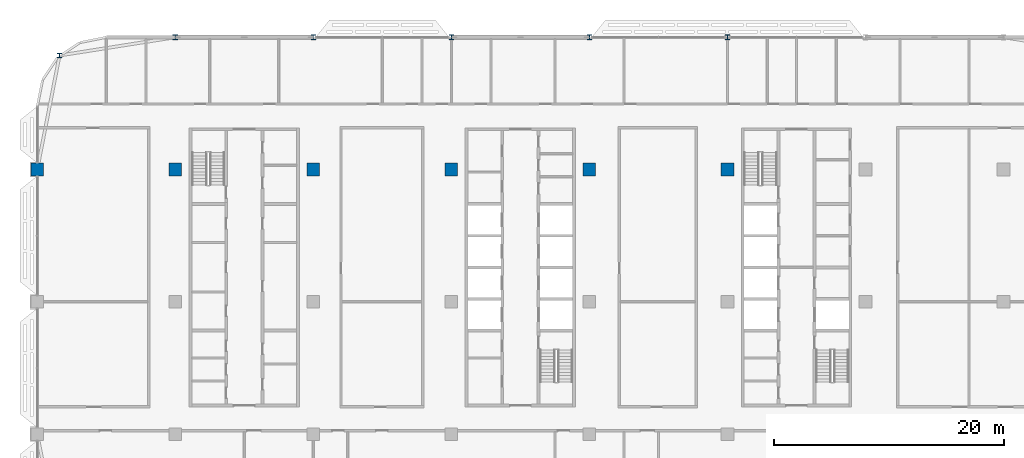
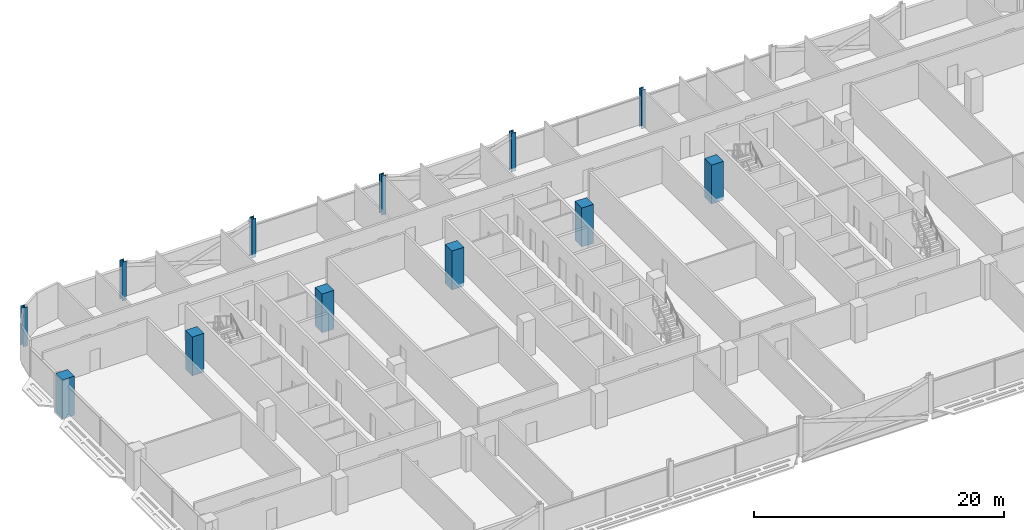
# One storey, part 2 of 30: 12 columns.
"""IFC4 building model written with IfcOpenShell, lengths in metres."""

from ifc_helpers import new_model, si_unit, direction, frame, origin, origin_2d, place, context, subcontext, project, spatial, rectangle, i_section, extrude, material, material_profile, profile_set, type_object, element, save


model = new_model("IFC4")

# Units and contexts
model_context = context("Model", 3, precision=1e-05, world=origin(), true_north=direction((0.0, 1.0)))
body_context = subcontext(model_context, "Body", "Model", "MODEL_VIEW")
ifc_project = project(units=[si_unit("LENGTHUNIT", "METRE"), si_unit("AREAUNIT", "SQUARE_METRE"), si_unit("VOLUMEUNIT", "CUBIC_METRE"), si_unit("PLANEANGLEUNIT", "RADIAN"), si_unit("MASSUNIT", "GRAM", prefix="KILO")], contexts=[model_context])

# Site, building, storey
site_placement = place(None, origin())
site = spatial("IfcSite", under=ifc_project, at=site_placement, CompositionType="ELEMENT")
building_placement = place(site_placement, origin())
building = spatial("IfcBuilding", under=site, at=building_placement, Name="Mahtab Terrace Research Tower", CompositionType="ELEMENT")
storey_placement = place(building_placement, frame((0.0, 0.0, 216.699951171875)))
storey = spatial("IfcBuildingStorey", under=building, at=storey_placement, Name="L52", CompositionType="ELEMENT", Elevation=216.699951171875)

# Columns
ifc_material_1 = material(Name="Concrete C70/85", Category="concrete")
ifc_material_profile_1 = material_profile(ifc_material_1, rectangle(XDim=1.10009765625, YDim=1.10009765625, at=origin_2d()), Name="RC column 1100x1100")
ifc_profile_set_1 = profile_set([ifc_material_profile_1], Name="Concrete C70/85")
column_type_1 = type_object("IfcColumnType", Name="RC column 1100x1100", PredefinedType="COLUMN", material=ifc_profile_set_1)
for number, where, z_axis, x_axis, name in (
    (1, (-42.0, 11.5, -0.33984375), (0.0, 0.0, 1.0), (1.0, 0.0, 0.0), "Column RC-1C L52"),
    (2, (-30.0, 11.5, -0.33984375), (0.0, 0.0, 1.0), (1.0, 0.0, 0.0), "Column RC-2C L52"),
    (3, (-18.0, 11.5, -0.33984375), (0.0, 0.0, 1.0), (1.0, 0.0, 0.0), "Column RC-3C L52"),
    (4, (-6.0, 11.5, -0.33984375), (0.0, 0.0, 1.0), (1.0, 0.0, 0.0), "Column RC-4C L52"),
    (5, (6.0, 11.5, -0.33984375), (0.0, 0.0, 1.0), (1.0, 0.0, 0.0), "Column RC-5C L52"),
    (6, (18.0, 11.5, -0.33984375), (0.0, 0.0, 1.0), (1.0, 0.0, 0.0), "Column RC-6C L52"),
):
    element("IfcColumn", number, at=place(storey_placement, frame(where, z_axis=z_axis, x_axis=x_axis)), inside=storey, type_object=column_type_1, Name=name, PredefinedType="COLUMN", context=body_context, shape_type="SweptSolid", body=[
        extrude(rectangle(XDim=1.10009765625, YDim=1.10009765625, at=origin_2d()), origin(), (0.0, 0.0, 1.0), 3.7998046875),
    ])
ifc_material_2 = material(Name="Steel ASTM A992 Gr 50", Category="steel")
ifc_material_profile_2 = material_profile(ifc_material_2, i_section(OverallWidth=0.4013671875, OverallDepth=0.398681640625, WebThickness=0.02490234375, FlangeThickness=0.03955078125, at=origin_2d()), Name="W14X211")
ifc_profile_set_2 = profile_set([ifc_material_profile_2], Name="Steel ASTM A992 Gr 50")
column_type_2 = type_object("IfcColumnType", Name="W14x211 column CS14211", PredefinedType="COLUMN", material=ifc_profile_set_2)
for number, where, z_axis, x_axis, name in (
    (7, (18.0, 23.0, -0.33984375), (0.0, 0.0, 1.0), (1.0, 0.0, 0.0), "Column SC-003 L52"),
    (8, (6.0, 23.0, -0.33984375), (0.0, 0.0, 1.0), (1.0, 0.0, 0.0), "Column SC-004 L52"),
    (9, (-6.0, 23.0, -0.33984375), (0.0, 0.0, 1.0), (1.0, 0.0, 0.0), "Column SC-005 L52"),
    (10, (-18.0, 23.0, -0.33984375), (0.0, 0.0, 1.0), (1.0, 0.0, 0.0), "Column SC-006 L52"),
    (11, (-30.0, 23.0, -0.33984375), (0.0, 0.0, 1.0), (1.0, 0.0, 0.0), "Column SC-007 L52"),
    (12, (-40.06201171875, 21.416015625, -0.33984375), (0.0, 0.0, 1.0), (1.0, 0.0, 0.0), "Column SC-024 L52"),
):
    element("IfcColumn", number, at=place(storey_placement, frame(where, z_axis=z_axis, x_axis=x_axis)), inside=storey, type_object=column_type_2, Name=name, PredefinedType="COLUMN", context=body_context, shape_type="SweptSolid", body=[
        extrude(i_section(OverallWidth=0.4013671875, OverallDepth=0.398681640625, WebThickness=0.02490234375, FlangeThickness=0.03955078125, at=origin_2d()), origin(), (0.0, 0.0, 1.0), 3.7998046875),
    ])

save(model, "model.ifc")
